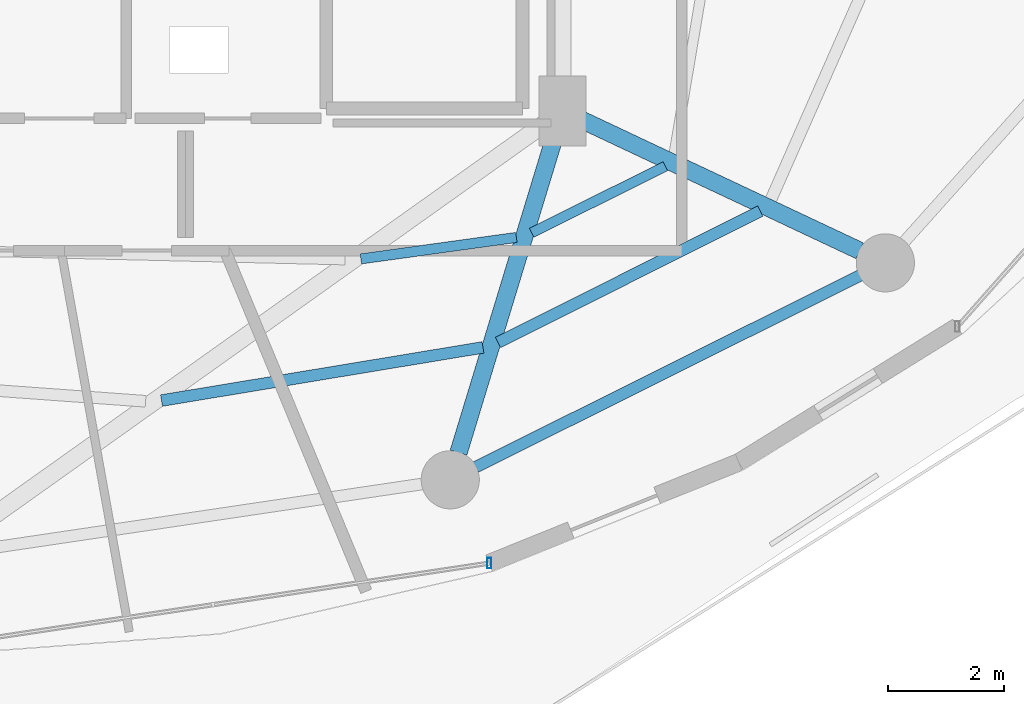
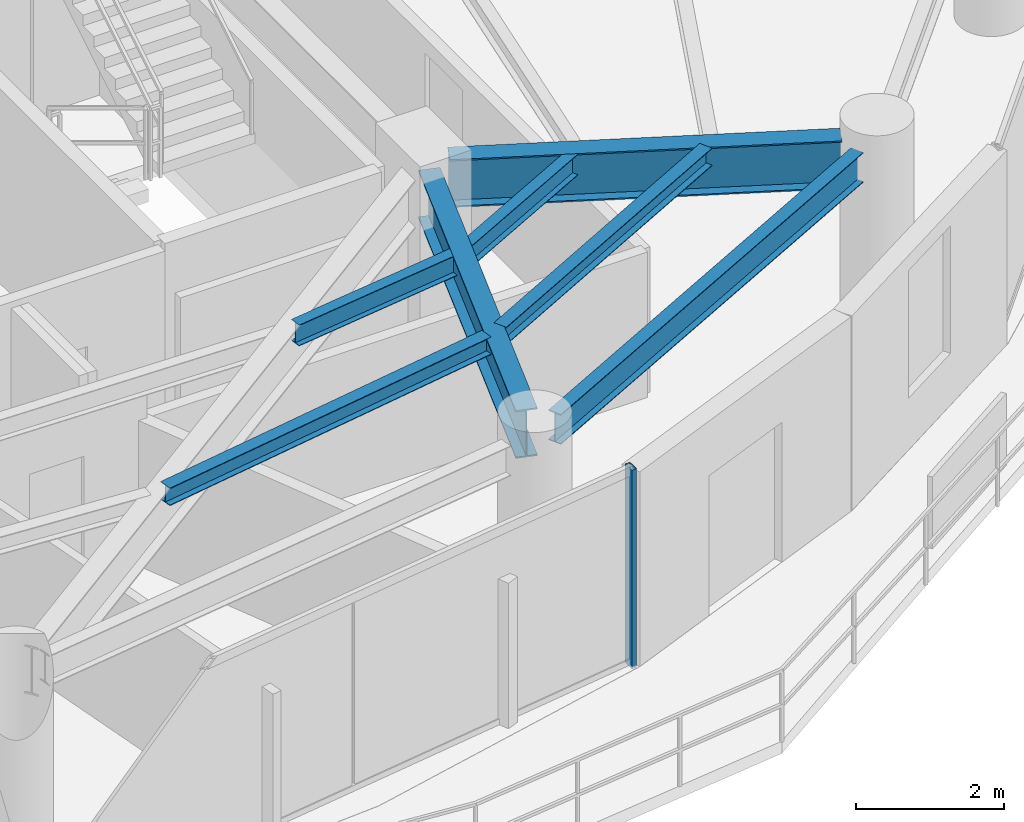
# One storey, part 11 of 29: 7 beams, 1 member, 1 element without a shape of its own.
"""IFC4 building model written with IfcOpenShell, lengths in metres."""

from ifc_helpers import new_model, si_unit, direction, frame, origin, origin_2d, place, context, subcontext, project, spatial, hollow_rectangle, i_section, extrude, material, material_profile, profile_set, type_object, element, aggregate, save


model = new_model("IFC4")

# Units and contexts
model_context = context("Model", 3, precision=1e-05, world=origin(), true_north=direction((0.0, 1.0)))
body_context = subcontext(model_context, "Body", "Model", "MODEL_VIEW")
ifc_project = project(units=[si_unit("LENGTHUNIT", "METRE"), si_unit("AREAUNIT", "SQUARE_METRE"), si_unit("VOLUMEUNIT", "CUBIC_METRE"), si_unit("PLANEANGLEUNIT", "RADIAN"), si_unit("MASSUNIT", "GRAM", prefix="KILO")], contexts=[model_context])

# Site, building, storey
site_placement = place(None, origin())
site = spatial("IfcSite", under=ifc_project, at=site_placement, CompositionType="ELEMENT")
building_placement = place(site_placement, origin())
building = spatial("IfcBuilding", under=site, at=building_placement, Name="Vorneva Point Tower", CompositionType="ELEMENT")
storey_placement = place(building_placement, frame((0.0, 0.0, 171.10009765625)))
storey = spatial("IfcBuildingStorey", under=building, at=storey_placement, Name="L46", CompositionType="ELEMENT", Elevation=171.10009765625)

# Beams
ifc_material_1 = material(Name="Steel S355", Category="steel")
ifc_material_profile_1 = material_profile(ifc_material_1, i_section(OverallWidth=0.300048828125, OverallDepth=0.7880859375, WebThickness=0.014404296875, FlangeThickness=0.02197265625, at=origin_2d()), Name="80Sh1")
ifc_profile_set_1 = profile_set([ifc_material_profile_1], Name="Steel S355")
beam_type_1 = type_object("IfcBeamType", Name="BM-GRD-80Sh1", PredefinedType="USERDEFINED", material=ifc_profile_set_1)
beam_1_placement = place(storey_placement, frame((46.962890625, 10.576171875, 2.805908203125), z_axis=(0.291049382966, 0.95670803105, 0.0), x_axis=(-0.95670803105, 0.291049382966, 0.0)))
element("IfcBeam", 1, at=beam_1_placement, inside=storey, type_object=beam_type_1, Name="L46 Radial Primary Girder 14", ObjectType="GIRDER", PredefinedType="USERDEFINED", context=body_context, shape_type="SweptSolid", body=[
    extrude(i_section(OverallWidth=0.300048828125, OverallDepth=0.7880859375, WebThickness=0.014404296875, FlangeThickness=0.02197265625, at=origin_2d()), origin(), (0.0, 0.0, 1.0), 5.799560546875),
])
beam_2_placement = place(storey_placement, frame((53.857421875, 14.045654296875, 2.805908203125), z_axis=(-0.904761331435, 0.425918927896, 0.0), x_axis=(-0.425918927896, -0.904761331435, 0.0)))
element("IfcBeam", 2, at=beam_2_placement, inside=storey, type_object=beam_type_1, Name="L46 Radial Primary Girder 15", ObjectType="GIRDER", PredefinedType="USERDEFINED", context=body_context, shape_type="SweptSolid", body=[
    extrude(i_section(OverallWidth=0.300048828125, OverallDepth=0.7880859375, WebThickness=0.014404296875, FlangeThickness=0.02197265625, at=origin_2d()), origin(), (0.0, 0.0, 1.0), 5.304931640625),
])
ifc_material_profile_2 = material_profile(ifc_material_1, i_section(OverallWidth=0.199951171875, OverallDepth=0.291015625, WebThickness=0.008056640625, FlangeThickness=0.010986328125, at=origin_2d()), Name="30Sh1")
ifc_profile_set_2 = profile_set([ifc_material_profile_2], Name="Steel S355")
beam_type_2 = type_object("IfcBeamType", Name="BM-SEC-30Sh1", PredefinedType="BEAM", material=ifc_profile_set_2)
beam_3_placement = place(storey_placement, frame((41.858642578125, 11.471435546875, 3.054443359375), z_axis=(0.986611034558, 0.163090976107, 0.0), x_axis=(-0.163090976107, 0.986611034558, 0.0)))
element("IfcBeam", 3, at=beam_3_placement, inside=storey, type_object=beam_type_2, Name="L46 Secondary Floor Beam 1.13", PredefinedType="BEAM", context=body_context, shape_type="SweptSolid", body=[
    extrude(i_section(OverallWidth=0.199951171875, OverallDepth=0.291015625, WebThickness=0.008056640625, FlangeThickness=0.010986328125, at=origin_2d()), origin(), (0.0, 0.0, 1.0), 5.60009765625),
])
beam_4_placement = place(storey_placement, frame((47.643310546875, 12.468994140625, 3.054443359375), z_axis=(0.893855059999, 0.448356032316, 0.0), x_axis=(-0.448356032316, 0.893855059999, 0.0)))
element("IfcBeam", 4, at=beam_4_placement, inside=storey, type_object=beam_type_2, Name="L46 Secondary Floor Beam 1.14", PredefinedType="BEAM", context=body_context, shape_type="SweptSolid", body=[
    extrude(i_section(OverallWidth=0.199951171875, OverallDepth=0.291015625, WebThickness=0.008056640625, FlangeThickness=0.010986328125, at=origin_2d()), origin(), (0.0, 0.0, 1.0), 5.041748046875),
])
ifc_material_profile_3 = material_profile(ifc_material_1, i_section(OverallWidth=0.174072265625, OverallDepth=0.345947265625, WebThickness=0.006103515625, FlangeThickness=0.009033203125, at=origin_2d()), Name="35B1")
ifc_profile_set_3 = profile_set([ifc_material_profile_3], Name="Steel S355")
beam_type_3 = type_object("IfcBeamType", Name="BM-SEC-35B1", PredefinedType="BEAM", material=ifc_profile_set_3)
beam_5_placement = place(storey_placement, frame((45.284912109375, 13.90576171875, 3.02685546875), z_axis=(0.990594076533, 0.136833386051, 0.0), x_axis=(-0.136833386051, 0.990594076533, 0.0)))
element("IfcBeam", 5, at=beam_5_placement, inside=storey, type_object=beam_type_3, Name="L46 Secondary Floor Beam 2.13", PredefinedType="BEAM", context=body_context, shape_type="SweptSolid", body=[
    extrude(i_section(OverallWidth=0.174072265625, OverallDepth=0.345947265625, WebThickness=0.006103515625, FlangeThickness=0.009033203125, at=origin_2d()), origin(), (0.0, 0.0, 1.0), 2.69775390625),
])
beam_6_placement = place(storey_placement, frame((48.217529296875, 14.35498046875, 3.02685546875), z_axis=(0.895489131745, 0.445083379746, 0.0), x_axis=(-0.445083379746, 0.895489131745, 0.0)))
element("IfcBeam", 6, at=beam_6_placement, inside=storey, type_object=beam_type_3, Name="L46 Secondary Floor Beam 2.14", PredefinedType="BEAM", context=body_context, shape_type="SweptSolid", body=[
    extrude(i_section(OverallWidth=0.174072265625, OverallDepth=0.345947265625, WebThickness=0.006103515625, FlangeThickness=0.009033203125, at=origin_2d()), origin(), (0.0, 0.0, 1.0), 2.56884765625),
])
ifc_material_profile_4 = material_profile(ifc_material_1, i_section(OverallWidth=0.199951171875, OverallDepth=0.491943359375, WebThickness=0.0087890625, FlangeThickness=0.011962890625, at=origin_2d()), Name="50B1")
ifc_profile_set_4 = profile_set([ifc_material_profile_4], Name="Steel S355")
beam_type_4 = type_object("IfcBeamType", Name="BM-SPN-50B1", PredefinedType="SPANDREL", material=ifc_profile_set_4)
beam_7_placement = place(storey_placement, frame((47.2548828125, 10.32568359375, 2.953857421875), z_axis=(0.894929061397, 0.446208443518, 0.0), x_axis=(-0.446208443518, 0.894929061397, 0.0)))
element("IfcBeam", 7, at=beam_7_placement, inside=storey, type_object=beam_type_4, Name="L46 Perimeter Spandrel Ring Beam 14", PredefinedType="SPANDREL", context=body_context, shape_type="SweptSolid", body=[
    extrude(i_section(OverallWidth=0.199951171875, OverallDepth=0.491943359375, WebThickness=0.0087890625, FlangeThickness=0.011962890625, at=origin_2d()), origin(), (0.0, 0.0, 1.0), 7.385986328125),
])

# Curtain wall, member
ifc_material_2 = material(Name="Pale anodised aluminium", Category="aluminium")
curtain_wall_type = type_object("IfcCurtainWallType", Name="CW-RES-SYS", PredefinedType="NOTDEFINED", material=ifc_material_2)
curtain_wall_placement = place(storey_placement, origin())
curtain_wall = element("IfcCurtainWall", 8, at=curtain_wall_placement, inside=storey, type_object=curtain_wall_type, Name="L46 Unitised Curtain Wall CW-L46-R04", PredefinedType="NOTDEFINED")
ifc_material_profile_5 = material_profile(ifc_material_2, hollow_rectangle(XDim=0.074951171875, YDim=0.179931640625, WallThickness=0.00390625, at=origin_2d()), Name="AL-MUL 180x75x4")
ifc_profile_set_5 = profile_set([ifc_material_profile_5], Name="Pale anodised aluminium")
member_type = type_object("IfcMemberType", Name="CW-MUL-180", PredefinedType="MULLION", material=ifc_profile_set_5)
member_placement = place(storey_placement, frame((47.490478515625, 8.67724609375, -0.0400390625), z_axis=(0.0, 0.0, 1.0), x_axis=(1.0, 0.0, 0.0)))
member = element("IfcMember", 9, at=member_placement, type_object=member_type, Name="CW-L46-R04 Mullion 04", PredefinedType="MULLION", context=body_context, shape_type="SweptSolid", body=[
    extrude(hollow_rectangle(XDim=0.074951171875, YDim=0.179931640625, WallThickness=0.00390625, at=origin_2d()), origin(), (0.0, 0.0, 1.0), 3.27001953125),
])
aggregate(curtain_wall, [member])

save(model, "model.ifc")
